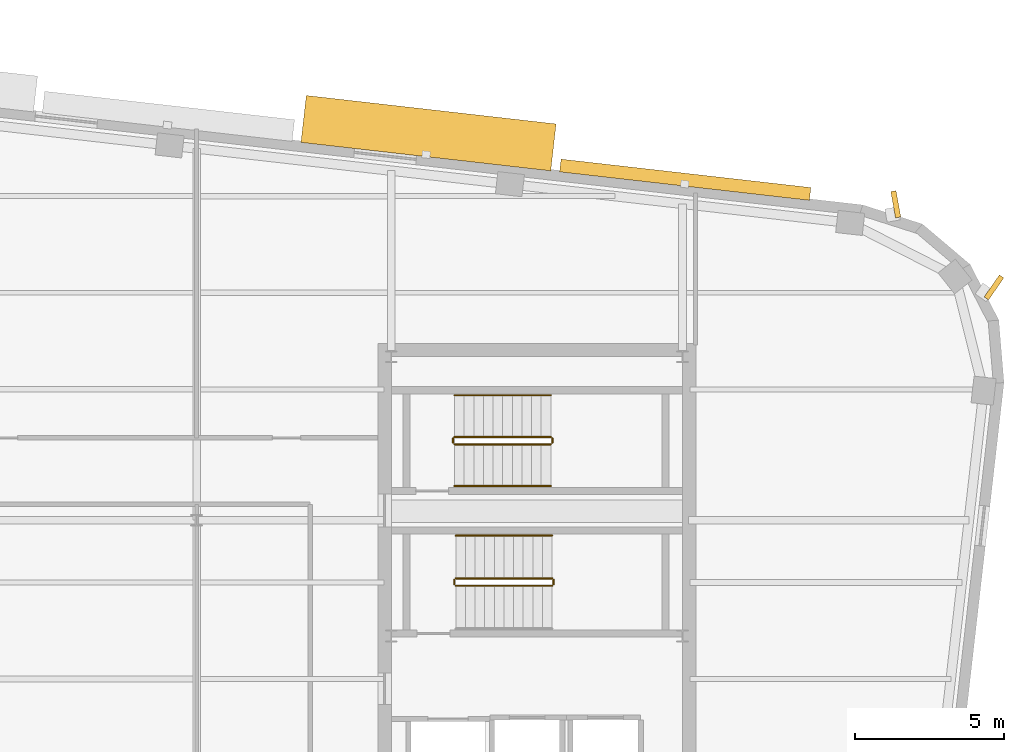
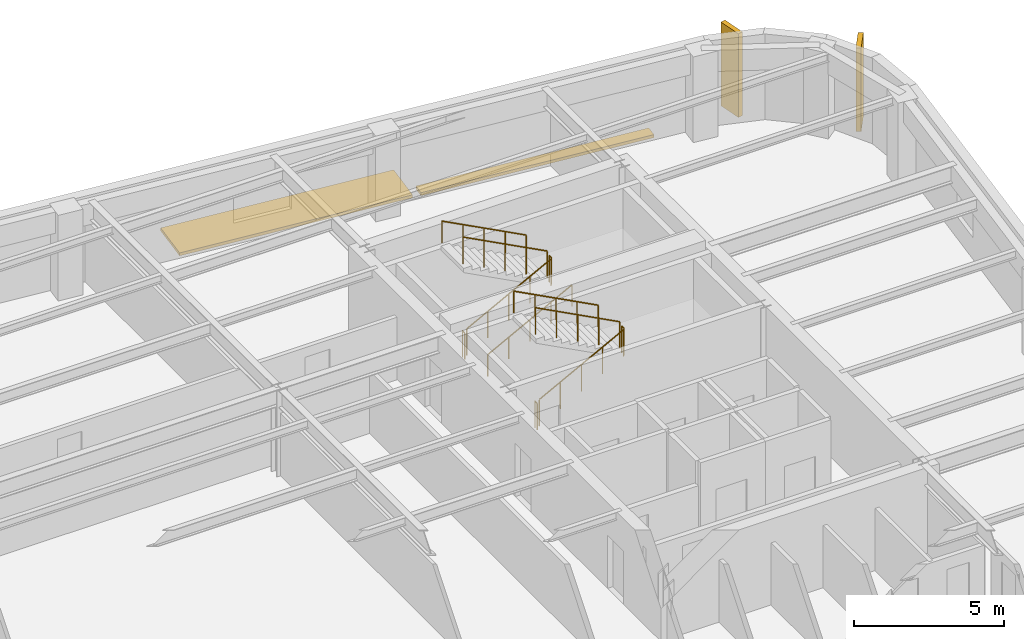
# One storey, part 13 of 14: 11 railings, 4 shading devices.
"""IFC4 building model written with IfcOpenShell, lengths in metres."""

from ifc_helpers import new_model, si_unit, direction, frame, origin, origin_2d, place, context, subcontext, project, spatial, rectangle, circle, extrude, material, type_object, element, save


model = new_model("IFC4")

# Units and contexts
model_context = context("Model", 3, precision=1e-05, world=origin(), true_north=direction((0.0, 1.0)))
body_context = subcontext(model_context, "Body", "Model", "MODEL_VIEW")
ifc_project = project(units=[si_unit("LENGTHUNIT", "METRE"), si_unit("AREAUNIT", "SQUARE_METRE"), si_unit("VOLUMEUNIT", "CUBIC_METRE"), si_unit("PLANEANGLEUNIT", "RADIAN"), si_unit("MASSUNIT", "GRAM", prefix="KILO")], contexts=[model_context])

# Site, building, storey
site_placement = place(None, origin())
site = spatial("IfcSite", under=ifc_project, at=site_placement, CompositionType="ELEMENT")
building_placement = place(site_placement, origin())
building = spatial("IfcBuilding", under=site, at=building_placement, Name="Kolvaren Arena Tower", CompositionType="ELEMENT")
storey_placement = place(building_placement, frame((0.0, 0.0, 235.949951171875)))
storey = spatial("IfcBuildingStorey", under=building, at=storey_placement, Name="L57", CompositionType="ELEMENT", Elevation=235.949951171875)

# Railings
ifc_material_1 = material(Name="Painted galvanized steel", Category="steel")
railing_type_1 = type_object("IfcRailingType", Name="GUARD-ST-110", PredefinedType="GUARDRAIL", material=ifc_material_1)
railing_1_placement = place(storey_placement, frame((52.719970703125, 31.639892578125, 0.17041015625)))
element("IfcRailing", 1, at=railing_1_placement, inside=storey, type_object=railing_type_1, Name="L57 ST-E1 stair guard 1", PredefinedType="GUARDRAIL", context=body_context, shape_type="SweptSolid", body=[
    extrude(circle(Radius=0.02392578125, at=origin_2d()), frame((0.0, 0.0, 1.076171875), z_axis=(0.884993431791, 0.0, 0.465603506952), x_axis=(0.0, 1.0, 0.0)), (0.0, 0.0, 1.0), 3.6611328125),
    extrude(circle(Radius=0.02099609375, at=origin_2d()), origin(), (0.0, 0.0, 1.0), 1.052001953125),
    extrude(circle(Radius=0.02099609375, at=origin_2d()), frame((0.81005859375, 0.0, 0.42626953125)), (0.0, 0.0, 1.0), 1.052001953125),
    extrude(circle(Radius=0.02099609375, at=origin_2d()), frame((1.6201171875, 0.0, 0.852294921875)), (0.0, 0.0, 1.0), 1.052001953125),
    extrude(circle(Radius=0.02099609375, at=origin_2d()), frame((2.429931640625, 0.0, 1.2783203125)), (0.0, 0.0, 1.0), 1.052001953125),
    extrude(circle(Radius=0.02099609375, at=origin_2d()), frame((3.239990234375, 0.0, 1.70458984375)), (0.0, 0.0, 1.0), 1.052001953125),
])
railing_2_placement = place(storey_placement, frame((56.010009765625, 31.68994140625, 1.875)))
element("IfcRailing", 2, at=railing_2_placement, inside=storey, type_object=railing_type_1, Name="L57 ST-E1 stair guard 2", PredefinedType="GUARDRAIL", context=body_context, shape_type="SweptSolid", body=[
    extrude(circle(Radius=0.02392578125, at=origin_2d()), frame((0.0, 0.0, 1.076171875), z_axis=(0.0, 1.0, 0.0), x_axis=(-1.0, 0.0, 0.0)), (0.0, 0.0, 1.0), 0.150146484375),
    extrude(circle(Radius=0.02099609375, at=origin_2d()), origin(), (0.0, 0.0, 1.0), 1.052001953125),
    extrude(circle(Radius=0.02099609375, at=origin_2d()), frame((0.0, 0.150146484375, 0.0)), (0.0, 0.0, 1.0), 1.052001953125),
])
railing_3_placement = place(storey_placement, frame((55.9599609375, 31.889892578125, 2.04541015625)))
element("IfcRailing", 3, at=railing_3_placement, inside=storey, type_object=railing_type_1, Name="L57 ST-E1 stair guard 3", PredefinedType="GUARDRAIL", context=body_context, shape_type="SweptSolid", body=[
    extrude(circle(Radius=0.02392578125, at=origin_2d()), frame((0.0, 0.0, 1.076171875), z_axis=(-0.884993431791, 0.0, 0.465603506952), x_axis=(0.0, -1.0, 0.0)), (0.0, 0.0, 1.0), 3.6611328125),
    extrude(circle(Radius=0.02099609375, at=origin_2d()), origin(), (0.0, 0.0, 1.0), 1.052001953125),
    extrude(circle(Radius=0.02099609375, at=origin_2d()), frame((-0.81005859375, 0.0, 0.42626953125)), (0.0, 0.0, 1.0), 1.052001953125),
    extrude(circle(Radius=0.02099609375, at=origin_2d()), frame((-1.6201171875, 0.0, 0.852294921875)), (0.0, 0.0, 1.0), 1.052001953125),
    extrude(circle(Radius=0.02099609375, at=origin_2d()), frame((-2.429931640625, 0.0, 1.2783203125)), (0.0, 0.0, 1.0), 1.052001953125),
    extrude(circle(Radius=0.02099609375, at=origin_2d()), frame((-3.239990234375, 0.0, 1.70458984375)), (0.0, 0.0, 1.0), 1.052001953125),
])
railing_4_placement = place(storey_placement, frame((52.669921875, 31.68994140625, 0.0)))
element("IfcRailing", 4, at=railing_4_placement, inside=storey, type_object=railing_type_1, Name="L57 ST-E1 stair guard 4", PredefinedType="GUARDRAIL", context=body_context, shape_type="SweptSolid", body=[
    extrude(circle(Radius=0.02392578125, at=origin_2d()), frame((0.0, 0.0, 1.076171875), z_axis=(0.0, 1.0, 0.0), x_axis=(-1.0, 0.0, 0.0)), (0.0, 0.0, 1.0), 0.150146484375),
    extrude(circle(Radius=0.02099609375, at=origin_2d()), origin(), (0.0, 0.0, 1.0), 1.052001953125),
    extrude(circle(Radius=0.02099609375, at=origin_2d()), frame((0.0, 0.150146484375, 0.0)), (0.0, 0.0, 1.0), 1.052001953125),
])
railing_5_placement = place(storey_placement, frame((52.679931640625, 36.39990234375, 0.17041015625)))
element("IfcRailing", 5, at=railing_5_placement, inside=storey, type_object=railing_type_1, Name="L57 ST-E2 stair guard 1", PredefinedType="GUARDRAIL", context=body_context, shape_type="SweptSolid", body=[
    extrude(circle(Radius=0.02392578125, at=origin_2d()), frame((0.0, 0.0, 1.076171875), z_axis=(0.884993431791, 0.0, 0.465603506952), x_axis=(0.0, 1.0, 0.0)), (0.0, 0.0, 1.0), 3.6611328125),
    extrude(circle(Radius=0.02099609375, at=origin_2d()), origin(), (0.0, 0.0, 1.0), 1.052001953125),
    extrude(circle(Radius=0.02099609375, at=origin_2d()), frame((0.81005859375, 0.0, 0.42626953125)), (0.0, 0.0, 1.0), 1.052001953125),
    extrude(circle(Radius=0.02099609375, at=origin_2d()), frame((1.6201171875, 0.0, 0.852294921875)), (0.0, 0.0, 1.0), 1.052001953125),
    extrude(circle(Radius=0.02099609375, at=origin_2d()), frame((2.429931640625, 0.0, 1.2783203125)), (0.0, 0.0, 1.0), 1.052001953125),
    extrude(circle(Radius=0.02099609375, at=origin_2d()), frame((3.239990234375, 0.0, 1.70458984375)), (0.0, 0.0, 1.0), 1.052001953125),
])
railing_6_placement = place(storey_placement, frame((55.969970703125, 36.449951171875, 1.875)))
element("IfcRailing", 6, at=railing_6_placement, inside=storey, type_object=railing_type_1, Name="L57 ST-E2 stair guard 2", PredefinedType="GUARDRAIL", context=body_context, shape_type="SweptSolid", body=[
    extrude(circle(Radius=0.02392578125, at=origin_2d()), frame((0.0, 0.0, 1.076171875), z_axis=(0.0, 1.0, 0.0), x_axis=(-1.0, 0.0, 0.0)), (0.0, 0.0, 1.0), 0.150146484375),
    extrude(circle(Radius=0.02099609375, at=origin_2d()), origin(), (0.0, 0.0, 1.0), 1.052001953125),
    extrude(circle(Radius=0.02099609375, at=origin_2d()), frame((0.0, 0.150146484375, 0.0)), (0.0, 0.0, 1.0), 1.052001953125),
])
railing_7_placement = place(storey_placement, frame((55.919921875, 36.64990234375, 2.04541015625)))
element("IfcRailing", 7, at=railing_7_placement, inside=storey, type_object=railing_type_1, Name="L57 ST-E2 stair guard 3", PredefinedType="GUARDRAIL", context=body_context, shape_type="SweptSolid", body=[
    extrude(circle(Radius=0.02392578125, at=origin_2d()), frame((0.0, 0.0, 1.076171875), z_axis=(-0.884993431791, 0.0, 0.465603506952), x_axis=(0.0, -1.0, 0.0)), (0.0, 0.0, 1.0), 3.6611328125),
    extrude(circle(Radius=0.02099609375, at=origin_2d()), origin(), (0.0, 0.0, 1.0), 1.052001953125),
    extrude(circle(Radius=0.02099609375, at=origin_2d()), frame((-0.81005859375, 0.0, 0.42626953125)), (0.0, 0.0, 1.0), 1.052001953125),
    extrude(circle(Radius=0.02099609375, at=origin_2d()), frame((-1.6201171875, 0.0, 0.852294921875)), (0.0, 0.0, 1.0), 1.052001953125),
    extrude(circle(Radius=0.02099609375, at=origin_2d()), frame((-2.429931640625, 0.0, 1.2783203125)), (0.0, 0.0, 1.0), 1.052001953125),
    extrude(circle(Radius=0.02099609375, at=origin_2d()), frame((-3.239990234375, 0.0, 1.70458984375)), (0.0, 0.0, 1.0), 1.052001953125),
])
railing_8_placement = place(storey_placement, frame((52.6298828125, 36.449951171875, 0.0)))
element("IfcRailing", 8, at=railing_8_placement, inside=storey, type_object=railing_type_1, Name="L57 ST-E2 stair guard 4", PredefinedType="GUARDRAIL", context=body_context, shape_type="SweptSolid", body=[
    extrude(circle(Radius=0.02392578125, at=origin_2d()), frame((0.0, 0.0, 1.076171875), z_axis=(0.0, 1.0, 0.0), x_axis=(-1.0, 0.0, 0.0)), (0.0, 0.0, 1.0), 0.150146484375),
    extrude(circle(Radius=0.02099609375, at=origin_2d()), origin(), (0.0, 0.0, 1.0), 1.052001953125),
    extrude(circle(Radius=0.02099609375, at=origin_2d()), frame((0.0, 0.150146484375, 0.0)), (0.0, 0.0, 1.0), 1.052001953125),
])
ifc_material_2 = material(Name="Brushed stainless steel handrail", Category="steel")
railing_type_2 = type_object("IfcRailingType", Name="HRAIL-900", PredefinedType="HANDRAIL", material=ifc_material_2)
railing_9_placement = place(storey_placement, frame((55.9599609375, 33.330078125, 2.04541015625)))
element("IfcRailing", 9, at=railing_9_placement, inside=storey, type_object=railing_type_2, Name="L57 ST-E1 stair handrail 2", PredefinedType="HANDRAIL", context=body_context, shape_type="SweptSolid", body=[
    extrude(circle(Radius=0.02392578125, at=origin_2d()), frame((0.0, 0.0, 0.8759765625), z_axis=(-0.884993431791, 0.0, 0.465603506952), x_axis=(0.0, -1.0, 0.0)), (0.0, 0.0, 1.0), 3.6611328125),
    extrude(circle(Radius=0.02099609375, at=origin_2d()), origin(), (0.0, 0.0, 1.0), 0.851806640625),
    extrude(circle(Radius=0.02099609375, at=origin_2d()), frame((-0.81005859375, 0.0, 0.42626953125)), (0.0, 0.0, 1.0), 0.851806640625),
    extrude(circle(Radius=0.02099609375, at=origin_2d()), frame((-1.6201171875, 0.0, 0.852294921875)), (0.0, 0.0, 1.0), 0.851806640625),
    extrude(circle(Radius=0.02099609375, at=origin_2d()), frame((-2.429931640625, 0.0, 1.2783203125)), (0.0, 0.0, 1.0), 0.851806640625),
    extrude(circle(Radius=0.02099609375, at=origin_2d()), frame((-3.239990234375, 0.0, 1.70458984375)), (0.0, 0.0, 1.0), 0.851806640625),
])
railing_10_placement = place(storey_placement, frame((52.679931640625, 35.0, 0.17041015625)))
element("IfcRailing", 10, at=railing_10_placement, inside=storey, type_object=railing_type_2, Name="L57 ST-E2 stair handrail 1", PredefinedType="HANDRAIL", context=body_context, shape_type="SweptSolid", body=[
    extrude(circle(Radius=0.02392578125, at=origin_2d()), frame((0.0, 0.0, 0.8759765625), z_axis=(0.884993431791, 0.0, 0.465603506952), x_axis=(0.0, 1.0, 0.0)), (0.0, 0.0, 1.0), 3.6611328125),
    extrude(circle(Radius=0.02099609375, at=origin_2d()), origin(), (0.0, 0.0, 1.0), 0.851806640625),
    extrude(circle(Radius=0.02099609375, at=origin_2d()), frame((0.81005859375, 0.0, 0.42626953125)), (0.0, 0.0, 1.0), 0.851806640625),
    extrude(circle(Radius=0.02099609375, at=origin_2d()), frame((1.6201171875, 0.0, 0.852294921875)), (0.0, 0.0, 1.0), 0.851806640625),
    extrude(circle(Radius=0.02099609375, at=origin_2d()), frame((2.429931640625, 0.0, 1.2783203125)), (0.0, 0.0, 1.0), 0.851806640625),
    extrude(circle(Radius=0.02099609375, at=origin_2d()), frame((3.239990234375, 0.0, 1.70458984375)), (0.0, 0.0, 1.0), 0.851806640625),
])
railing_11_placement = place(storey_placement, frame((55.919921875, 38.050048828125, 2.04541015625)))
element("IfcRailing", 11, at=railing_11_placement, inside=storey, type_object=railing_type_2, Name="L57 ST-E2 stair handrail 2", PredefinedType="HANDRAIL", context=body_context, shape_type="SweptSolid", body=[
    extrude(circle(Radius=0.02392578125, at=origin_2d()), frame((0.0, 0.0, 0.8759765625), z_axis=(-0.884993431791, 0.0, 0.465603506952), x_axis=(0.0, -1.0, 0.0)), (0.0, 0.0, 1.0), 3.6611328125),
    extrude(circle(Radius=0.02099609375, at=origin_2d()), origin(), (0.0, 0.0, 1.0), 0.851806640625),
    extrude(circle(Radius=0.02099609375, at=origin_2d()), frame((-0.81005859375, 0.0, 0.42626953125)), (0.0, 0.0, 1.0), 0.851806640625),
    extrude(circle(Radius=0.02099609375, at=origin_2d()), frame((-1.6201171875, 0.0, 0.852294921875)), (0.0, 0.0, 1.0), 0.851806640625),
    extrude(circle(Radius=0.02099609375, at=origin_2d()), frame((-2.429931640625, 0.0, 1.2783203125)), (0.0, 0.0, 1.0), 0.851806640625),
    extrude(circle(Radius=0.02099609375, at=origin_2d()), frame((-3.239990234375, 0.0, 1.70458984375)), (0.0, 0.0, 1.0), 0.851806640625),
])

# Shading devices
ifc_material_3 = material(Name="Precast architectural concrete C50/60 rib fin", Category="concrete")
shading_device_type_1 = type_object("IfcShadingDeviceType", Name="SHAD-FIN-28", PredefinedType="USERDEFINED", material=ifc_material_3)
for number, where, z_axis, x_axis, name in (
    (12, (70.830810546875, 41.679931640625, 0.02001953125), (0.0, 0.0, 1.0), (0.569965213199, 0.821668823641, 0.0), "Precast 28-Deg Corner Rib Fin (L57)"),
    (13, (67.526611328125, 44.47705078125, 0.02001953125), (0.0, 0.0, 1.0), (-0.177965872603, 0.984036659982, 0.0), "Precast 28-Deg Corner Rib Fin (L57)"),
):
    element("IfcShadingDevice", number, at=place(storey_placement, frame(where, z_axis=z_axis, x_axis=x_axis)), inside=storey, type_object=shading_device_type_1, Name=name, ObjectType="FIN", PredefinedType="USERDEFINED", context=body_context, shape_type="SweptSolid", body=[
        extrude(rectangle(XDim=0.89990234375, YDim=0.179931640625, at=origin_2d()), origin(), (0.0, 0.0, 1.0), 3.39990234375),
    ])
ifc_material_4 = material(Name="Architectural precast GFRC and anodised aluminium sunshade", Category="concrete")
shading_device_type_2 = type_object("IfcShadingDeviceType", Name="SHAD-SINE-A", PredefinedType="USERDEFINED", material=ifc_material_4)
shading_device_1_placement = place(storey_placement, frame((60.441162109375, 45.303466796875, -0.139892578125), z_axis=(0.0, 0.0, 1.0), x_axis=(0.993571658098, -0.113204947878, 0.0)))
element("IfcShadingDevice", 14, at=shading_device_1_placement, inside=storey, type_object=shading_device_type_2, Name="Sinusoidal Slab-Edge Sunshade Louvre (L57)", ObjectType="LOUVRE", PredefinedType="USERDEFINED", context=body_context, shape_type="SweptSolid", body=[
    extrude(rectangle(XDim=8.4599609375, YDim=0.432861328125, at=origin_2d()), origin(), (0.0, 0.0, 1.0), 0.1201171875),
])
shading_device_type_3 = type_object("IfcShadingDeviceType", Name="SHAD-SINE-B", PredefinedType="JALOUSIE", material=ifc_material_4)
shading_device_2_placement = place(storey_placement, frame((51.802978515625, 46.869873046875, -0.139892578125), z_axis=(0.0, 0.0, 1.0), x_axis=(0.993571658098, -0.113204947878, 0.0)))
element("IfcShadingDevice", 15, at=shading_device_2_placement, inside=storey, type_object=shading_device_type_3, Name="Sinusoidal Slab-Edge Sunshade Louvre (L57)", PredefinedType="JALOUSIE", context=body_context, shape_type="SweptSolid", body=[
    extrude(rectangle(XDim=8.4599609375, YDim=1.589599609375, at=origin_2d()), origin(), (0.0, 0.0, 1.0), 0.1201171875),
])

save(model, "model.ifc")
